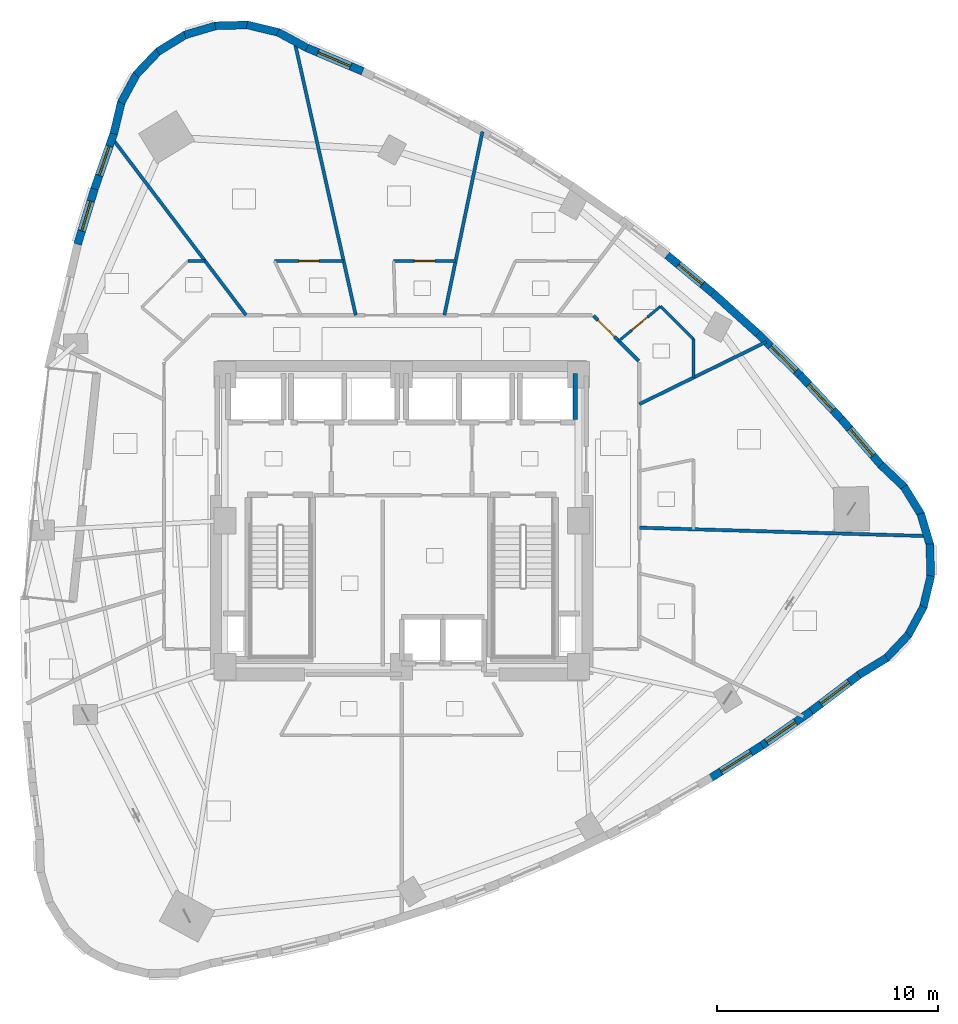
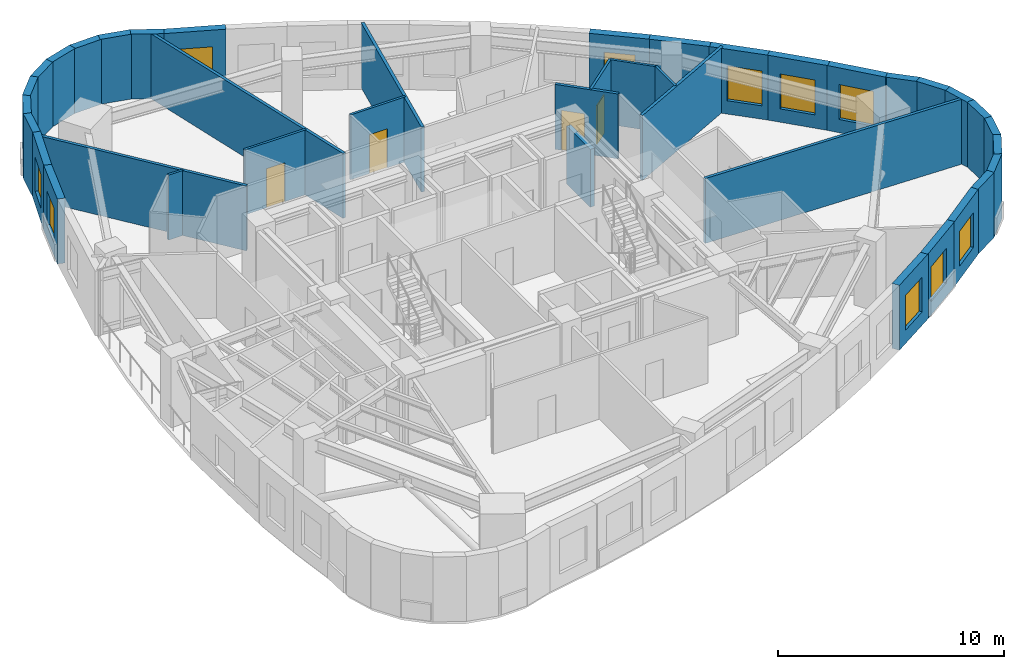
# One storey, part 8 of 12: 40 walls, 10 windows, 4 doors, 14 openings.
"""IFC4 building model written with IfcOpenShell, lengths in metres."""

from ifc_helpers import new_model, si_unit, direction, frame, frame_2d, origin, place, context, subcontext, project, spatial, rectangle, extrude, material, layer, layer_set, type_object, element, fill, save


model = new_model("IFC4")

# Units and contexts
model_context = context("Model", 3, precision=1e-05, world=origin(), true_north=direction((0.0, 1.0)))
body_context = subcontext(model_context, "Body", "Model", "MODEL_VIEW")
ifc_project = project(units=[si_unit("LENGTHUNIT", "METRE"), si_unit("AREAUNIT", "SQUARE_METRE"), si_unit("VOLUMEUNIT", "CUBIC_METRE"), si_unit("PLANEANGLEUNIT", "RADIAN"), si_unit("MASSUNIT", "GRAM", prefix="KILO")], contexts=[model_context])

# Site, building, storey
site_placement = place(None, origin())
site = spatial("IfcSite", under=ifc_project, at=site_placement, CompositionType="ELEMENT")
building_placement = place(site_placement, origin())
building = spatial("IfcBuilding", under=site, at=building_placement, Name="Ndelora Gate Hotel", CompositionType="ELEMENT")
storey_placement = place(building_placement, frame((0.0, 0.0, 104.75)))
storey = spatial("IfcBuildingStorey", under=building, at=storey_placement, Name="L25", CompositionType="ELEMENT", Elevation=104.75)

# Walls
ifc_material_1 = material(Name="Clay Brick Masonry", Category="masonry")
ifc_layer_1 = layer(ifc_material_1, 0.360107421875)
ifc_layer_set_1 = layer_set([ifc_layer_1], Name="Clay Brick Masonry")
wall_type_1 = type_object("IfcWallType", Name="WL-BRICK-360", PredefinedType="SOLIDWALL", material=ifc_layer_set_1)
for number, where, z_axis, x_axis, name in (
    (1, (-5.60009765625, 22.102294921875, 0.0), (0.0, 0.0, 1.0), (0.878835716595, -0.477124494484, 0.0), "L25 Tower Brick Pier-and-Spandrel Wall TWR-1"),
    (2, (-6.99853515625, 22.431396484375, 0.0), (0.0, 0.0, 1.0), (0.972399232605, -0.233323235941, 0.0), "L25 Tower Brick Pier-and-Spandrel Wall TWR-2"),
    (3, (-8.4345703125, 22.38720703125, 0.0), (0.0, 0.0, 1.0), (0.999654374037, 0.026289398397, 0.0), "L25 Tower Brick Pier-and-Spandrel Wall TWR-3"),
    (4, (-9.810302734375, 21.97314453125, 0.0), (0.0, 0.0, 1.0), (0.958851135896, 0.283909315084, 0.0), "L25 Tower Brick Pier-and-Spandrel Wall TWR-4"),
    (5, (-11.03173828125, 21.216796875, 0.0), (0.0, 0.0, 1.0), (0.852554021927, 0.522639110378, 0.0), "L25 Tower Brick Pier-and-Spandrel Wall TWR-5"),
    (6, (-12.01611328125, 20.17041015625, 0.0), (0.0, 0.0, 1.0), (0.688464400899, 0.725270134981, 0.0), "L25 Tower Brick Pier-and-Spandrel Wall TWR-6"),
    (7, (-12.69580078125, 18.90478515625, 0.0), (0.0, 0.0, 1.0), (0.477193395873, 0.878798306174, 0.0), "L25 Tower Brick Pier-and-Spandrel Wall TWR-7"),
):
    element("IfcWall", number, at=place(storey_placement, frame(where, z_axis=z_axis, x_axis=x_axis)), inside=storey, type_object=wall_type_1, Name=name, PredefinedType="SOLIDWALL", context=body_context, shape_type="SweptSolid", body=[
        extrude(rectangle(XDim=1.48583984375, YDim=0.360107421875, at=frame_2d((0.742919921875, 0.0))), origin(), (0.0, 0.0, 1.0), 3.5),
    ])
wall_1_placement = place(storey_placement, frame((-13.02490234375, 17.50634765625, 0.0), z_axis=(0.0, 0.0, 1.0), x_axis=(0.23351590147, 0.972352983109, 0.0)))
element("IfcWall", 8, at=wall_1_placement, inside=storey, type_object=wall_type_1, Name="L25 Tower Brick Pier-and-Spandrel Wall TWR-8", PredefinedType="SOLIDWALL", context=body_context, shape_type="SweptSolid", body=[
    extrude(rectangle(XDim=1.485595703125, YDim=0.360107421875, at=frame_2d((0.74267578125, 0.0))), origin(), (0.0, 0.0, 1.0), 3.5),
])

# Wall, opening, window
wall_2_placement = place(storey_placement, frame((-13.896240234375, 15.012451171875, 0.0), z_axis=(0.0, 0.0, 1.0), x_axis=(0.328988489893, 0.944333931148, 0.0)))
wall_2 = element("IfcWall", 9, at=wall_2_placement, inside=storey, type_object=wall_type_1, Name="L25 Tower Brick Pier-and-Spandrel Wall TWR-9", PredefinedType="SOLIDWALL", context=body_context, shape_type="SweptSolid", body=[
    extrude(rectangle(XDim=2.691650390625, YDim=0.360107421875, at=frame_2d((1.345703125, 0.0))), origin(), (0.0, 0.0, 1.0), 3.5),
])
opening_1_placement = place(wall_2_placement, frame((0.645751953125, 0.0, 0.719970703125)))
opening_1 = element("IfcOpeningElement", 10, at=opening_1_placement, cuts=wall_2, Name="Opening W02", PredefinedType="OPENING", context=body_context, shape_type="SweptSolid", body=[
    extrude(rectangle(XDim=1.39990234375, YDim=1.840087890625, at=frame_2d((0.699951171875, 0.919921875))), frame((0.0, 0.18994140625, 0.0), z_axis=(0.0, -1.0, 0.0), x_axis=(1.0, 0.0, 0.0)), (0.0, 0.0, 1.0), 0.380126953125),
])
ifc_material_2 = material(Name="Insulated Low-E Double Glazing in Bronze Aluminium Frame", Category="aluminium")
window_type_1 = type_object("IfcWindowType", Name="WN-DEEP-1400", PartitioningType="SINGLE_PANEL", PredefinedType="WINDOW", material=ifc_material_2)
window_1_placement = place(opening_1_placement, origin())
window_1 = element("IfcWindow", 11, at=window_1_placement, inside=storey, type_object=window_type_1, Name="L25 Deep-Set Brick-Pier Window W02", OverallHeight=1.840087890625, OverallWidth=1.39990234375, PartitioningType="SINGLE_PANEL", PredefinedType="WINDOW", context=body_context, shape_type="SweptSolid", body=[
    extrude(rectangle(XDim=1.39990234375, YDim=1.840087890625, at=frame_2d((0.699951171875, 0.919921875))), frame((0.0, 0.030029296875, 0.0), z_axis=(0.0, -1.0, 0.0), x_axis=(1.0, 0.0, 0.0)), (0.0, 0.0, 1.0), 0.06005859375),
])
fill(opening_1, window_1)

wall_3_placement = place(storey_placement, frame((-14.659912109375, 12.506591796875, 0.0), z_axis=(0.0, 0.0, 1.0), x_axis=(0.291842096338, 0.956466513164, 0.0)))
wall_3 = element("IfcWall", 12, at=wall_3_placement, inside=storey, type_object=wall_type_1, Name="L25 Tower Brick Pier-and-Spandrel Wall TWR-10", PredefinedType="SOLIDWALL", context=body_context, shape_type="SweptSolid", body=[
    extrude(rectangle(XDim=2.66943359375, YDim=0.360107421875, at=frame_2d((1.334716796875, 0.0))), origin(), (0.0, 0.0, 1.0), 3.5),
])
opening_2_placement = place(wall_3_placement, frame((0.634765625, 0.0, 0.719970703125)))
opening_2 = element("IfcOpeningElement", 13, at=opening_2_placement, cuts=wall_3, Name="Opening W02", PredefinedType="OPENING", context=body_context, shape_type="SweptSolid", body=[
    extrude(rectangle(XDim=1.39990234375, YDim=1.840087890625, at=frame_2d((0.699951171875, 0.919921875))), frame((0.0, 0.18994140625, 0.0), z_axis=(0.0, -1.0, 0.0), x_axis=(1.0, 0.0, 0.0)), (0.0, 0.0, 1.0), 0.380126953125),
])
window_2_placement = place(opening_2_placement, origin())
window_2 = element("IfcWindow", 14, at=window_2_placement, inside=storey, type_object=window_type_1, Name="L25 Deep-Set Brick-Pier Window W02", OverallHeight=1.840087890625, OverallWidth=1.39990234375, PartitioningType="SINGLE_PANEL", PredefinedType="WINDOW", context=body_context, shape_type="SweptSolid", body=[
    extrude(rectangle(XDim=1.39990234375, YDim=1.840087890625, at=frame_2d((0.699951171875, 0.919921875))), frame((0.0, 0.030029296875, 0.0), z_axis=(0.0, -1.0, 0.0), x_axis=(1.0, 0.0, 0.0)), (0.0, 0.0, 1.0), 0.06005859375),
])
fill(opening_2, window_2)

wall_4_placement = place(storey_placement, frame((16.285400390625, -10.1708984375, 0.0), z_axis=(0.0, 0.0, 1.0), x_axis=(-0.843759875161, -0.53672085209, 0.0)))
wall_4 = element("IfcWall", 15, at=wall_4_placement, inside=storey, type_object=wall_type_1, Name="L25 Tower Brick Pier-and-Spandrel Wall TWR-36", PredefinedType="SOLIDWALL", context=body_context, shape_type="SweptSolid", body=[
    extrude(rectangle(XDim=2.75830078125, YDim=0.360107421875, at=frame_2d((1.379150390625, 0.0))), origin(), (0.0, 0.0, 1.0), 3.5),
])
opening_3_placement = place(wall_4_placement, frame((0.5791015625, 0.0, 0.719970703125)))
opening_3 = element("IfcOpeningElement", 16, at=opening_3_placement, cuts=wall_4, Name="Opening W01", PredefinedType="OPENING", context=body_context, shape_type="SweptSolid", body=[
    extrude(rectangle(XDim=1.60009765625, YDim=1.8798828125, at=frame_2d((0.800048828125, 0.93994140625))), frame((0.0, 0.18994140625, 0.0), z_axis=(0.0, -1.0, 0.0), x_axis=(1.0, 0.0, 0.0)), (0.0, 0.0, 1.0), 0.380126953125),
])
window_type_2 = type_object("IfcWindowType", Name="WN-DEEP-1600", PartitioningType="SINGLE_PANEL", PredefinedType="WINDOW", material=ifc_material_2)
window_3_placement = place(opening_3_placement, origin())
window_3 = element("IfcWindow", 17, at=window_3_placement, inside=storey, type_object=window_type_2, Name="L25 Deep-Set Brick-Pier Window W01", OverallHeight=1.8798828125, OverallWidth=1.60009765625, PartitioningType="SINGLE_PANEL", PredefinedType="WINDOW", context=body_context, shape_type="SweptSolid", body=[
    extrude(rectangle(XDim=1.60009765625, YDim=1.8798828125, at=frame_2d((0.800048828125, 0.93994140625))), frame((0.0, 0.030029296875, 0.0), z_axis=(0.0, -1.0, 0.0), x_axis=(1.0, 0.0, 0.0)), (0.0, 0.0, 1.0), 0.06005859375),
])
fill(opening_3, window_3)

wall_5_placement = place(storey_placement, frame((18.523681640625, -8.612060546875, 0.0), z_axis=(0.0, 0.0, 1.0), x_axis=(-0.820851453433, -0.5711417437, 0.0)))
wall_5 = element("IfcWall", 18, at=wall_5_placement, inside=storey, type_object=wall_type_1, Name="L25 Tower Brick Pier-and-Spandrel Wall TWR-37", PredefinedType="SOLIDWALL", context=body_context, shape_type="SweptSolid", body=[
    extrude(rectangle(XDim=2.777587890625, YDim=0.360107421875, at=frame_2d((1.388671875, 0.0))), origin(), (0.0, 0.0, 1.0), 3.5),
])
opening_4_placement = place(wall_5_placement, frame((0.860107421875, 0.0, 0.719970703125)))
opening_4 = element("IfcOpeningElement", 19, at=opening_4_placement, cuts=wall_5, Name="Opening W03", PredefinedType="OPENING", context=body_context, shape_type="SweptSolid", body=[
    extrude(rectangle(XDim=1.60009765625, YDim=1.8798828125, at=frame_2d((0.800048828125, 0.93994140625))), frame((0.0, 0.18994140625, 0.0), z_axis=(0.0, -1.0, 0.0), x_axis=(1.0, 0.0, 0.0)), (0.0, 0.0, 1.0), 0.380126953125),
])
window_type_3 = type_object("IfcWindowType", Name="WN-CORN-2100", PartitioningType="SINGLE_PANEL", PredefinedType="WINDOW", material=ifc_material_2)
window_4_placement = place(opening_4_placement, origin())
window_4 = element("IfcWindow", 20, at=window_4_placement, inside=storey, type_object=window_type_3, Name="L25 Deep-Set Brick-Pier Window W03", OverallHeight=1.8798828125, OverallWidth=1.60009765625, PartitioningType="SINGLE_PANEL", PredefinedType="WINDOW", context=body_context, shape_type="SweptSolid", body=[
    extrude(rectangle(XDim=1.60009765625, YDim=1.8798828125, at=frame_2d((0.800048828125, 0.93994140625))), frame((0.0, 0.030029296875, 0.0), z_axis=(0.0, -1.0, 0.0), x_axis=(1.0, 0.0, 0.0)), (0.0, 0.0, 1.0), 0.06005859375),
])
fill(opening_4, window_4)

wall_6_placement = place(storey_placement, frame((20.715576171875, -6.949462890625, 0.0), z_axis=(0.0, 0.0, 1.0), x_axis=(-0.796935762967, -0.604064060928, 0.0)))
wall_6 = element("IfcWall", 21, at=wall_6_placement, inside=storey, type_object=wall_type_1, Name="L25 Tower Brick Pier-and-Spandrel Wall TWR-38", PredefinedType="SOLIDWALL", context=body_context, shape_type="SweptSolid", body=[
    extrude(rectangle(XDim=2.80126953125, YDim=0.360107421875, at=frame_2d((1.400634765625, 0.0))), origin(), (0.0, 0.0, 1.0), 3.5),
])
opening_5_placement = place(wall_6_placement, frame((0.6005859375, 0.0, 0.719970703125)))
opening_5 = element("IfcOpeningElement", 22, at=opening_5_placement, cuts=wall_6, Name="Opening W01", PredefinedType="OPENING", context=body_context, shape_type="SweptSolid", body=[
    extrude(rectangle(XDim=1.60009765625, YDim=1.8798828125, at=frame_2d((0.800048828125, 0.93994140625))), frame((0.0, 0.18994140625, 0.0), z_axis=(0.0, -1.0, 0.0), x_axis=(1.0, 0.0, 0.0)), (0.0, 0.0, 1.0), 0.380126953125),
])
window_5_placement = place(opening_5_placement, origin())
window_5 = element("IfcWindow", 23, at=window_5_placement, inside=storey, type_object=window_type_2, Name="L25 Deep-Set Brick-Pier Window W01", OverallHeight=1.8798828125, OverallWidth=1.60009765625, PartitioningType="SINGLE_PANEL", PredefinedType="WINDOW", context=body_context, shape_type="SweptSolid", body=[
    extrude(rectangle(XDim=1.60009765625, YDim=1.8798828125, at=frame_2d((0.800048828125, 0.93994140625))), frame((0.0, 0.030029296875, 0.0), z_axis=(0.0, -1.0, 0.0), x_axis=(1.0, 0.0, 0.0)), (0.0, 0.0, 1.0), 0.06005859375),
])
fill(opening_5, window_5)

# Walls
for number, where, z_axis, x_axis, name in (
    (24, (21.941162109375, -6.201416015625, 0.0), (0.0, 0.0, 1.0), (-0.852627228439, -0.522519673624, 0.0), "L25 Tower Brick Pier-and-Spandrel Wall TWR-39"),
    (25, (22.925537109375, -5.15478515625, 0.0), (0.0, 0.0, 1.0), (-0.688464400899, -0.725270134981, 0.0), "L25 Tower Brick Pier-and-Spandrel Wall TWR-40"),
):
    element("IfcWall", number, at=place(storey_placement, frame(where, z_axis=z_axis, x_axis=x_axis)), inside=storey, type_object=wall_type_1, Name=name, PredefinedType="SOLIDWALL", context=body_context, shape_type="SweptSolid", body=[
        extrude(rectangle(XDim=1.48583984375, YDim=0.360107421875, at=frame_2d((0.742919921875, 0.0))), origin(), (0.0, 0.0, 1.0), 3.5),
    ])
for number, where, z_axis, x_axis, name in (
    (26, (23.605224609375, -3.88916015625, 0.0), (0.0, 0.0, 1.0), (-0.477066476677, -0.878867212286, 0.0), "L25 Tower Brick Pier-and-Spandrel Wall TWR-41"),
    (27, (23.934326171875, -2.49072265625, 0.0), (0.0, 0.0, 1.0), (-0.233360521413, -0.972390285352, 0.0), "L25 Tower Brick Pier-and-Spandrel Wall TWR-42"),
):
    element("IfcWall", number, at=place(storey_placement, frame(where, z_axis=z_axis, x_axis=x_axis)), inside=storey, type_object=wall_type_1, Name=name, PredefinedType="SOLIDWALL", context=body_context, shape_type="SweptSolid", body=[
        extrude(rectangle(XDim=1.485595703125, YDim=0.360107421875, at=frame_2d((0.74267578125, 0.0))), origin(), (0.0, 0.0, 1.0), 3.5),
    ])
for number, where, z_axis, x_axis, name in (
    (28, (23.89013671875, -1.0546875, 0.0), (0.0, 0.0, 1.0), (0.026289398397, -0.999654374037, 0.0), "L25 Tower Brick Pier-and-Spandrel Wall TWR-43"),
    (29, (23.47607421875, 0.321044921875, 0.0), (0.0, 0.0, 1.0), (0.283909315084, -0.958851135896, 0.0), "L25 Tower Brick Pier-and-Spandrel Wall TWR-44"),
    (30, (22.719970703125, 1.54248046875, 0.0), (0.0, 0.0, 1.0), (0.522519673624, -0.852627228439, 0.0), "L25 Tower Brick Pier-and-Spandrel Wall TWR-45"),
    (31, (21.67333984375, 2.526611328125, 0.0), (0.0, 0.0, 1.0), (0.725430039612, -0.688295908479, 0.0), "L25 Tower Brick Pier-and-Spandrel Wall TWR-46"),
):
    element("IfcWall", number, at=place(storey_placement, frame(where, z_axis=z_axis, x_axis=x_axis)), inside=storey, type_object=wall_type_1, Name=name, PredefinedType="SOLIDWALL", context=body_context, shape_type="SweptSolid", body=[
        extrude(rectangle(XDim=1.48583984375, YDim=0.360107421875, at=frame_2d((0.742919921875, 0.0))), origin(), (0.0, 0.0, 1.0), 3.5),
    ])

# Wall, opening, window
wall_7_placement = place(storey_placement, frame((19.8759765625, 4.60986328125, 0.0), z_axis=(0.0, 0.0, 1.0), x_axis=(0.653907994708, -0.75657407731, 0.0)))
wall_7 = element("IfcWall", 32, at=wall_7_placement, inside=storey, type_object=wall_type_1, Name="L25 Tower Brick Pier-and-Spandrel Wall TWR-47", PredefinedType="SOLIDWALL", context=body_context, shape_type="SweptSolid", body=[
    extrude(rectangle(XDim=2.80126953125, YDim=0.360107421875, at=frame_2d((1.400634765625, 0.0))), origin(), (0.0, 0.0, 1.0), 3.5),
])
opening_6_placement = place(wall_7_placement, frame((0.6005859375, 0.0, 0.719970703125)))
opening_6 = element("IfcOpeningElement", 33, at=opening_6_placement, cuts=wall_7, Name="Opening W01", PredefinedType="OPENING", context=body_context, shape_type="SweptSolid", body=[
    extrude(rectangle(XDim=1.60009765625, YDim=1.8798828125, at=frame_2d((0.800048828125, 0.93994140625))), frame((0.0, 0.18994140625, 0.0), z_axis=(0.0, -1.0, 0.0), x_axis=(1.0, 0.0, 0.0)), (0.0, 0.0, 1.0), 0.380126953125),
])
window_6_placement = place(opening_6_placement, origin())
window_6 = element("IfcWindow", 34, at=window_6_placement, inside=storey, type_object=window_type_2, Name="L25 Deep-Set Brick-Pier Window W01", OverallHeight=1.8798828125, OverallWidth=1.60009765625, PartitioningType="SINGLE_PANEL", PredefinedType="WINDOW", context=body_context, shape_type="SweptSolid", body=[
    extrude(rectangle(XDim=1.60009765625, YDim=1.8798828125, at=frame_2d((0.800048828125, 0.93994140625))), frame((0.0, 0.030029296875, 0.0), z_axis=(0.0, -1.0, 0.0), x_axis=(1.0, 0.0, 0.0)), (0.0, 0.0, 1.0), 0.06005859375),
])
fill(opening_6, window_6)

wall_8_placement = place(storey_placement, frame((18.00927734375, 6.598388671875, 0.0), z_axis=(0.0, 0.0, 1.0), x_axis=(0.68415455393, -0.729337059484, 0.0)))
wall_8 = element("IfcWall", 35, at=wall_8_placement, inside=storey, type_object=wall_type_1, Name="L25 Tower Brick Pier-and-Spandrel Wall TWR-48", PredefinedType="SOLIDWALL", context=body_context, shape_type="SweptSolid", body=[
    extrude(rectangle(XDim=2.77734375, YDim=0.360107421875, at=frame_2d((1.388671875, 0.0))), origin(), (0.0, 0.0, 1.0), 3.5),
])
opening_7_placement = place(wall_8_placement, frame((0.5888671875, 0.0, 0.719970703125)))
opening_7 = element("IfcOpeningElement", 36, at=opening_7_placement, cuts=wall_8, Name="Opening W01", PredefinedType="OPENING", context=body_context, shape_type="SweptSolid", body=[
    extrude(rectangle(XDim=1.60009765625, YDim=1.8798828125, at=frame_2d((0.800048828125, 0.93994140625))), frame((0.0, 0.18994140625, 0.0), z_axis=(0.0, -1.0, 0.0), x_axis=(1.0, 0.0, 0.0)), (0.0, 0.0, 1.0), 0.380126953125),
])
window_7_placement = place(opening_7_placement, origin())
window_7 = element("IfcWindow", 37, at=window_7_placement, inside=storey, type_object=window_type_2, Name="L25 Deep-Set Brick-Pier Window W01", OverallHeight=1.8798828125, OverallWidth=1.60009765625, PartitioningType="SINGLE_PANEL", PredefinedType="WINDOW", context=body_context, shape_type="SweptSolid", body=[
    extrude(rectangle(XDim=1.60009765625, YDim=1.8798828125, at=frame_2d((0.800048828125, 0.93994140625))), frame((0.0, 0.030029296875, 0.0), z_axis=(0.0, -1.0, 0.0), x_axis=(1.0, 0.0, 0.0)), (0.0, 0.0, 1.0), 0.06005859375),
])
fill(opening_7, window_7)

wall_9_placement = place(storey_placement, frame((16.075439453125, 8.494873046875, 0.0), z_axis=(0.0, 0.0, 1.0), x_axis=(0.713713584755, -0.70043766242, 0.0)))
wall_9 = element("IfcWall", 38, at=wall_9_placement, inside=storey, type_object=wall_type_1, Name="L25 Tower Brick Pier-and-Spandrel Wall TWR-49", PredefinedType="SOLIDWALL", context=body_context, shape_type="SweptSolid", body=[
    extrude(rectangle(XDim=2.758544921875, YDim=0.360107421875, at=frame_2d((1.37939453125, 0.0))), origin(), (0.0, 0.0, 1.0), 3.5),
])
opening_8_placement = place(wall_9_placement, frame((0.860107421875, 0.0, 0.719970703125)))
opening_8 = element("IfcOpeningElement", 39, at=opening_8_placement, cuts=wall_9, Name="Opening W03", PredefinedType="OPENING", context=body_context, shape_type="SweptSolid", body=[
    extrude(rectangle(XDim=1.60009765625, YDim=1.8798828125, at=frame_2d((0.800048828125, 0.93994140625))), frame((0.0, 0.18994140625, 0.0), z_axis=(0.0, -1.0, 0.0), x_axis=(1.0, 0.0, 0.0)), (0.0, 0.0, 1.0), 0.380126953125),
])
window_8_placement = place(opening_8_placement, origin())
window_8 = element("IfcWindow", 40, at=window_8_placement, inside=storey, type_object=window_type_3, Name="L25 Deep-Set Brick-Pier Window W03", OverallHeight=1.8798828125, OverallWidth=1.60009765625, PartitioningType="SINGLE_PANEL", PredefinedType="WINDOW", context=body_context, shape_type="SweptSolid", body=[
    extrude(rectangle(XDim=1.60009765625, YDim=1.8798828125, at=frame_2d((0.800048828125, 0.93994140625))), frame((0.0, 0.030029296875, 0.0), z_axis=(0.0, -1.0, 0.0), x_axis=(1.0, 0.0, 0.0)), (0.0, 0.0, 1.0), 0.06005859375),
])
fill(opening_8, window_8)

# Wall
wall_10_placement = place(storey_placement, frame((14.07470703125, 10.299072265625, 0.0), z_axis=(0.0, 0.0, 1.0), x_axis=(0.742346706701, -0.67001594537, 0.0)))
element("IfcWall", 41, at=wall_10_placement, inside=storey, type_object=wall_type_1, Name="L25 Tower Brick Pier-and-Spandrel Wall TWR-50", PredefinedType="SOLIDWALL", context=body_context, shape_type="SweptSolid", body=[
    extrude(rectangle(XDim=2.744140625, YDim=0.360107421875, at=frame_2d((1.3720703125, 0.0))), origin(), (0.0, 0.0, 1.0), 3.5),
])

# Wall, opening, window
wall_11_placement = place(storey_placement, frame((12.007080078125, 12.01123046875, 0.0), z_axis=(0.0, 0.0, 1.0), x_axis=(0.769960149578, -0.63809197461, 0.0)))
wall_11 = element("IfcWall", 42, at=wall_11_placement, inside=storey, type_object=wall_type_1, Name="L25 Tower Brick Pier-and-Spandrel Wall TWR-51", PredefinedType="SOLIDWALL", context=body_context, shape_type="SweptSolid", body=[
    extrude(rectangle(XDim=2.734619140625, YDim=0.360107421875, at=frame_2d((1.3671875, 0.0))), origin(), (0.0, 0.0, 1.0), 3.5),
])
opening_9_placement = place(wall_11_placement, frame((0.667236328125, 0.0, 0.719970703125)))
opening_9 = element("IfcOpeningElement", 43, at=opening_9_placement, cuts=wall_11, Name="Opening W02", PredefinedType="OPENING", context=body_context, shape_type="SweptSolid", body=[
    extrude(rectangle(XDim=1.39990234375, YDim=1.840087890625, at=frame_2d((0.699951171875, 0.919921875))), frame((0.0, 0.18994140625, 0.0), z_axis=(0.0, -1.0, 0.0), x_axis=(1.0, 0.0, 0.0)), (0.0, 0.0, 1.0), 0.380126953125),
])
window_9_placement = place(opening_9_placement, origin())
window_9 = element("IfcWindow", 44, at=window_9_placement, inside=storey, type_object=window_type_1, Name="L25 Deep-Set Brick-Pier Window W02", OverallHeight=1.840087890625, OverallWidth=1.39990234375, PartitioningType="SINGLE_PANEL", PredefinedType="WINDOW", context=body_context, shape_type="SweptSolid", body=[
    extrude(rectangle(XDim=1.39990234375, YDim=1.840087890625, at=frame_2d((0.699951171875, 0.919921875))), frame((0.0, 0.030029296875, 0.0), z_axis=(0.0, -1.0, 0.0), x_axis=(1.0, 0.0, 0.0)), (0.0, 0.0, 1.0), 0.06005859375),
])
fill(opening_9, window_9)

wall_12_placement = place(storey_placement, frame((-4.33935546875, 21.4150390625, 0.0), z_axis=(0.0, 0.0, 1.0), x_axis=(0.921579586259, -0.388189472025, 0.0)))
wall_12 = element("IfcWall", 45, at=wall_12_placement, inside=storey, type_object=wall_type_1, Name="L25 Tower Brick Pier-and-Spandrel Wall TWR-58", PredefinedType="SOLIDWALL", context=body_context, shape_type="SweptSolid", body=[
    extrude(rectangle(XDim=2.80126953125, YDim=0.360107421875, at=frame_2d((1.400634765625, 0.0))), origin(), (0.0, 0.0, 1.0), 3.5),
])
opening_10_placement = place(wall_12_placement, frame((0.6005859375, 0.0, 0.719970703125)))
opening_10 = element("IfcOpeningElement", 46, at=opening_10_placement, cuts=wall_12, Name="Opening W01", PredefinedType="OPENING", context=body_context, shape_type="SweptSolid", body=[
    extrude(rectangle(XDim=1.60009765625, YDim=1.8798828125, at=frame_2d((0.800048828125, 0.93994140625))), frame((0.0, 0.18994140625, 0.0), z_axis=(0.0, -1.0, 0.0), x_axis=(1.0, 0.0, 0.0)), (0.0, 0.0, 1.0), 0.380126953125),
])
window_10_placement = place(opening_10_placement, origin())
window_10 = element("IfcWindow", 47, at=window_10_placement, inside=storey, type_object=window_type_2, Name="L25 Deep-Set Brick-Pier Window W01", OverallHeight=1.8798828125, OverallWidth=1.60009765625, PartitioningType="SINGLE_PANEL", PredefinedType="WINDOW", context=body_context, shape_type="SweptSolid", body=[
    extrude(rectangle(XDim=1.60009765625, YDim=1.8798828125, at=frame_2d((0.800048828125, 0.93994140625))), frame((0.0, 0.030029296875, 0.0), z_axis=(0.0, -1.0, 0.0), x_axis=(1.0, 0.0, 0.0)), (0.0, 0.0, 1.0), 0.06005859375),
])
fill(opening_10, window_10)

# Wall, opening, door
ifc_material_3 = material(Name="Fire-Rated Gypsum Stud Partition", Category="gypsum")
ifc_layer_2 = layer(ifc_material_3, 0.14990234375)
ifc_layer_set_2 = layer_set([ifc_layer_2], Name="Fire-Rated Gypsum Stud Partition")
wall_type_2 = type_object("IfcWallType", Name="WL-PART-150", PredefinedType="PARTITIONING", material=ifc_layer_set_2)
wall_13_placement = place(storey_placement, frame((8.67822265625, 9.271728515625, 0.0), z_axis=(0.0, 0.0, 1.0), x_axis=(0.707106781187, -0.707106781187, 0.0)))
wall_13 = element("IfcWall", 48, at=wall_13_placement, inside=storey, type_object=wall_type_2, Name="L25 Interior Wall IW-5", PredefinedType="PARTITIONING", context=body_context, shape_type="SweptSolid", body=[
    extrude(rectangle(XDim=2.889892578125, YDim=0.14990234375, at=frame_2d((1.44482421875, 0.0))), origin(), (0.0, 0.0, 1.0), 3.5),
])
opening_11_placement = place(wall_13_placement, frame((0.280029296875, 0.0, 0.0)))
opening_11 = element("IfcOpeningElement", 49, at=opening_11_placement, cuts=wall_13, Name="Opening D07", PredefinedType="OPENING", context=body_context, shape_type="SweptSolid", body=[
    extrude(rectangle(XDim=1.06005859375, YDim=2.14990234375, at=frame_2d((0.530029296875, 1.074951171875))), frame((0.0, 0.0849609375, 0.0), z_axis=(0.0, -1.0, 0.0), x_axis=(1.0, 0.0, 0.0)), (0.0, 0.0, 1.0), 0.169921875),
])
ifc_material_4 = material(Name="Diplomatic Suite Acoustic Entrance Door", Category="wood")
door_type_1 = type_object("IfcDoorType", Name="DR-SUITE-1060", OperationType="SINGLE_SWING_LEFT", PredefinedType="DOOR", material=ifc_material_4)
door_1_placement = place(opening_11_placement, origin())
door_1 = element("IfcDoor", 50, at=door_1_placement, inside=storey, type_object=door_type_1, Name="L25 South Reclaimed Club Suite 2805 Entrance Door", OperationType="SINGLE_SWING_RIGHT", OverallHeight=2.14990234375, OverallWidth=1.06005859375, PredefinedType="DOOR", context=body_context, shape_type="SweptSolid", body=[
    extrude(rectangle(XDim=1.06005859375, YDim=2.14990234375, at=frame_2d((0.530029296875, 1.074951171875))), frame((0.0, 0.02490234375, 0.0), z_axis=(0.0, -1.0, 0.0), x_axis=(1.0, 0.0, 0.0)), (0.0, 0.0, 1.0), 0.050048828125),
])
fill(opening_11, door_1)

# Walls
wall_14_placement = place(storey_placement, frame((10.75, -0.3134765625, 0.0), z_axis=(0.0, 0.0, 1.0), x_axis=(0.999575058165, -0.029149667157, 0.0)))
element("IfcWall", 51, at=wall_14_placement, inside=storey, type_object=wall_type_2, Name="L25 Interior Wall IW-5", PredefinedType="PARTITIONING", context=body_context, shape_type="SweptSolid", body=[
    extrude(rectangle(XDim=13.0322265625, YDim=0.14990234375, at=frame_2d((6.51611328125, 0.0))), origin(), (0.0, 0.0, 1.0), 3.5),
])
wall_15_placement = place(storey_placement, frame((10.75, 5.2744140625, 0.0), z_axis=(0.0, 0.0, 1.0), x_axis=(0.897755780575, 0.440493539616, 0.0)))
element("IfcWall", 52, at=wall_15_placement, inside=storey, type_object=wall_type_2, Name="L25 Interior Wall IW-5", PredefinedType="PARTITIONING", context=body_context, shape_type="SweptSolid", body=[
    extrude(rectangle(XDim=6.3916015625, YDim=0.14990234375, at=frame_2d((3.19580078125, 0.0))), origin(), (0.0, 0.0, 1.0), 3.5),
])
wall_16_placement = place(storey_placement, frame((1.93115234375, 9.300048828125, 0.0), z_axis=(0.0, 0.0, 1.0), x_axis=(0.203305542184, 0.979115343827, 0.0)))
element("IfcWall", 53, at=wall_16_placement, inside=storey, type_object=wall_type_2, Name="L25 Interior Wall IW-5", PredefinedType="PARTITIONING", context=body_context, shape_type="SweptSolid", body=[
    extrude(rectangle(XDim=8.476806640625, YDim=0.14990234375, at=frame_2d((4.23828125, 0.0))), origin(), (0.0, 0.0, 1.0), 3.5),
])
wall_17_placement = place(storey_placement, frame((-2.07861328125, 9.300048828125, 0.0), z_axis=(0.0, 0.0, 1.0), x_axis=(-0.218143379007, 0.975916731179, 0.0)))
element("IfcWall", 54, at=wall_17_placement, inside=storey, type_object=wall_type_2, Name="L25 Interior Wall IW-5", PredefinedType="PARTITIONING", context=body_context, shape_type="SweptSolid", body=[
    extrude(rectangle(XDim=12.700439453125, YDim=0.14990234375, at=frame_2d((6.35009765625, 0.0))), origin(), (0.0, 0.0, 1.0), 3.5),
])
wall_18_placement = place(storey_placement, frame((-7.040283203125, 9.300048828125, 0.0), z_axis=(0.0, 0.0, 1.0), x_axis=(-0.60357057416, 0.797309577271, 0.0)))
element("IfcWall", 55, at=wall_18_placement, inside=storey, type_object=wall_type_2, Name="L25 Interior Wall IW-5", PredefinedType="PARTITIONING", context=body_context, shape_type="SweptSolid", body=[
    extrude(rectangle(XDim=10.037109375, YDim=0.14990234375, at=frame_2d((5.0185546875, 0.0))), origin(), (0.0, 0.0, 1.0), 3.5),
])
ifc_material_5 = material(Name="Concrete C40/50", Category="concrete")
ifc_layer_3 = layer(ifc_material_5, 0.219970703125)
ifc_layer_set_3 = layer_set([ifc_layer_3], Name="Concrete C40/50")
wall_type_3 = type_object("IfcWallType", Name="WL-SHAFT-220", PredefinedType="PARTITIONING", material=ifc_layer_set_3)
wall_19_placement = place(storey_placement, frame((7.85009765625, 4.570068359375, 0.0), z_axis=(0.0, 0.0, 1.0), x_axis=(0.0, 1.0, 0.0)))
element("IfcWall", 56, at=wall_19_placement, inside=storey, type_object=wall_type_3, Name="L25 Interior Wall IW-1", PredefinedType="PARTITIONING", context=body_context, shape_type="SweptSolid", body=[
    extrude(rectangle(XDim=2.079833984375, YDim=0.219970703125, at=frame_2d((1.0400390625, 0.0))), origin(), (0.0, 0.0, 1.0), 3.1201171875),
])

# Wall, opening, door
ifc_material_6 = material(Name="Moisture-Resistant Bathroom Tile Partition", Category="gypsum")
ifc_layer_4 = layer(ifc_material_6, 0.1201171875)
ifc_layer_set_4 = layer_set([ifc_layer_4], Name="Moisture-Resistant Bathroom Tile Partition")
wall_type_4 = type_object("IfcWallType", Name="WL-WET-120", PredefinedType="PARTITIONING", material=ifc_layer_set_4)
wall_20_placement = place(storey_placement, frame((9.81787109375, 8.132080078125, 0.0), z_axis=(0.0, 0.0, 1.0), x_axis=(0.770088402747, 0.63793718496, 0.0)))
wall_20 = element("IfcWall", 57, at=wall_20_placement, inside=storey, type_object=wall_type_4, Name="L25 Interior Wall IW-7", PredefinedType="PARTITIONING", context=body_context, shape_type="SweptSolid", body=[
    extrude(rectangle(XDim=2.460693359375, YDim=0.1201171875, at=frame_2d((1.23046875, 0.0))), origin(), (0.0, 0.0, 1.0), 3.5),
])
opening_12_placement = place(wall_20_placement, frame((0.7705078125, 0.0, 0.0)))
opening_12 = element("IfcOpeningElement", 58, at=opening_12_placement, cuts=wall_20, Name="Opening D03", PredefinedType="OPENING", context=body_context, shape_type="SweptSolid", body=[
    extrude(rectangle(XDim=0.919921875, YDim=2.10009765625, at=frame_2d((0.4599609375, 1.050048828125))), frame((0.0, 0.070068359375, 0.0), z_axis=(0.0, -1.0, 0.0), x_axis=(1.0, 0.0, 0.0)), (0.0, 0.0, 1.0), 0.14013671875),
])
ifc_material_7 = material(Name="Moisture-Resistant Hardwood En-Suite Door", Category="wood")
door_type_2 = type_object("IfcDoorType", Name="DR-BATH-920", OperationType="SINGLE_SWING_LEFT", PredefinedType="DOOR", material=ifc_material_7)
door_2_placement = place(opening_12_placement, origin())
door_2 = element("IfcDoor", 59, at=door_2_placement, inside=storey, type_object=door_type_2, Name="L25 En-suite Bathroom 2805 Door", OperationType="SINGLE_SWING_RIGHT", OverallHeight=2.10009765625, OverallWidth=0.919921875, PredefinedType="DOOR", context=body_context, shape_type="SweptSolid", body=[
    extrude(rectangle(XDim=0.919921875, YDim=2.10009765625, at=frame_2d((0.4599609375, 1.050048828125))), frame((0.0, 0.02490234375, 0.0), z_axis=(0.0, -1.0, 0.0), x_axis=(1.0, 0.0, 0.0)), (0.0, 0.0, 1.0), 0.050048828125),
])
fill(opening_12, door_2)

# Walls
wall_21_placement = place(storey_placement, frame((11.712890625, 9.701904296875, 0.0), z_axis=(0.0, 0.0, 1.0), x_axis=(0.707106781187, -0.707106781187, 0.0)))
element("IfcWall", 60, at=wall_21_placement, inside=storey, type_object=wall_type_4, Name="L25 Interior Wall IW-7", PredefinedType="PARTITIONING", context=body_context, shape_type="SweptSolid", body=[
    extrude(rectangle(XDim=2.10302734375, YDim=0.1201171875, at=frame_2d((1.051513671875, 0.0))), origin(), (0.0, 0.0, 1.0), 3.5),
])
wall_22_placement = place(storey_placement, frame((13.199951171875, 6.4765625, 0.0), z_axis=(0.0, 0.0, 1.0), x_axis=(0.0, 1.0, 0.0)))
element("IfcWall", 61, at=wall_22_placement, inside=storey, type_object=wall_type_4, Name="L25 Interior Wall IW-7", PredefinedType="PARTITIONING", context=body_context, shape_type="SweptSolid", body=[
    extrude(rectangle(XDim=1.73828125, YDim=0.1201171875, at=frame_2d((0.869140625, 0.0))), origin(), (0.0, 0.0, 1.0), 3.5),
])

# Wall, opening, door
wall_23_placement = place(storey_placement, frame((-0.363037109375, 11.75, 0.0), z_axis=(0.0, 0.0, 1.0), x_axis=(1.0, 0.0, 0.0)))
wall_23 = element("IfcWall", 62, at=wall_23_placement, inside=storey, type_object=wall_type_4, Name="L25 Interior Wall IW-7", PredefinedType="PARTITIONING", context=body_context, shape_type="SweptSolid", body=[
    extrude(rectangle(XDim=2.802734375, YDim=0.1201171875, at=frame_2d((1.4013671875, 0.0))), origin(), (0.0, 0.0, 1.0), 3.5),
])
opening_13_placement = place(wall_23_placement, frame((0.94140625, 0.0, 0.0)))
opening_13 = element("IfcOpeningElement", 63, at=opening_13_placement, cuts=wall_23, Name="Opening D03", PredefinedType="OPENING", context=body_context, shape_type="SweptSolid", body=[
    extrude(rectangle(XDim=0.919921875, YDim=2.10009765625, at=frame_2d((0.4599609375, 1.050048828125))), frame((0.0, 0.070068359375, 0.0), z_axis=(0.0, -1.0, 0.0), x_axis=(1.0, 0.0, 0.0)), (0.0, 0.0, 1.0), 0.14013671875),
])
door_3_placement = place(opening_13_placement, origin())
door_3 = element("IfcDoor", 64, at=door_3_placement, inside=storey, type_object=door_type_2, Name="L25 En-suite Bathroom 2807 Door", OperationType="SINGLE_SWING_RIGHT", OverallHeight=2.10009765625, OverallWidth=0.919921875, PredefinedType="DOOR", context=body_context, shape_type="SweptSolid", body=[
    extrude(rectangle(XDim=0.919921875, YDim=2.10009765625, at=frame_2d((0.4599609375, 1.050048828125))), frame((0.0, 0.02490234375, 0.0), z_axis=(0.0, -1.0, 0.0), x_axis=(1.0, 0.0, 0.0)), (0.0, 0.0, 1.0), 0.050048828125),
])
fill(opening_13, door_3)

wall_24_placement = place(storey_placement, frame((-5.756103515625, 11.75, 0.0), z_axis=(0.0, 0.0, 1.0), x_axis=(1.0, 0.0, 0.0)))
wall_24 = element("IfcWall", 65, at=wall_24_placement, inside=storey, type_object=wall_type_4, Name="L25 Interior Wall IW-7", PredefinedType="PARTITIONING", context=body_context, shape_type="SweptSolid", body=[
    extrude(rectangle(XDim=3.1298828125, YDim=0.1201171875, at=frame_2d((1.56494140625, 0.0))), origin(), (0.0, 0.0, 1.0), 3.5),
])
opening_14_placement = place(wall_24_placement, frame((1.10498046875, 0.0, 0.0)))
opening_14 = element("IfcOpeningElement", 66, at=opening_14_placement, cuts=wall_24, Name="Opening D03", PredefinedType="OPENING", context=body_context, shape_type="SweptSolid", body=[
    extrude(rectangle(XDim=0.919921875, YDim=2.10009765625, at=frame_2d((0.4599609375, 1.050048828125))), frame((0.0, 0.070068359375, 0.0), z_axis=(0.0, -1.0, 0.0), x_axis=(1.0, 0.0, 0.0)), (0.0, 0.0, 1.0), 0.14013671875),
])
door_4_placement = place(opening_14_placement, origin())
door_4 = element("IfcDoor", 67, at=door_4_placement, inside=storey, type_object=door_type_2, Name="L25 En-suite Bathroom 2808 Door", OperationType="SINGLE_SWING_LEFT", OverallHeight=2.10009765625, OverallWidth=0.919921875, PredefinedType="DOOR", context=body_context, shape_type="SweptSolid", body=[
    extrude(rectangle(XDim=0.919921875, YDim=2.10009765625, at=frame_2d((0.4599609375, 1.050048828125))), frame((0.0, 0.02490234375, 0.0), z_axis=(0.0, -1.0, 0.0), x_axis=(1.0, 0.0, 0.0)), (0.0, 0.0, 1.0), 0.050048828125),
])
fill(opening_14, door_4)

# Wall
wall_25_placement = place(storey_placement, frame((-8.89501953125, 11.75, 0.0), z_axis=(0.0, 0.0, 1.0), x_axis=(-1.0, 0.0, 0.0)))
element("IfcWall", 68, at=wall_25_placement, inside=storey, type_object=wall_type_4, Name="L25 Interior Wall IW-7", PredefinedType="PARTITIONING", context=body_context, shape_type="SweptSolid", body=[
    extrude(rectangle(XDim=0.769775390625, YDim=0.1201171875, at=frame_2d((0.384765625, 0.0))), origin(), (0.0, 0.0, 1.0), 3.5),
])

save(model, "model.ifc")
